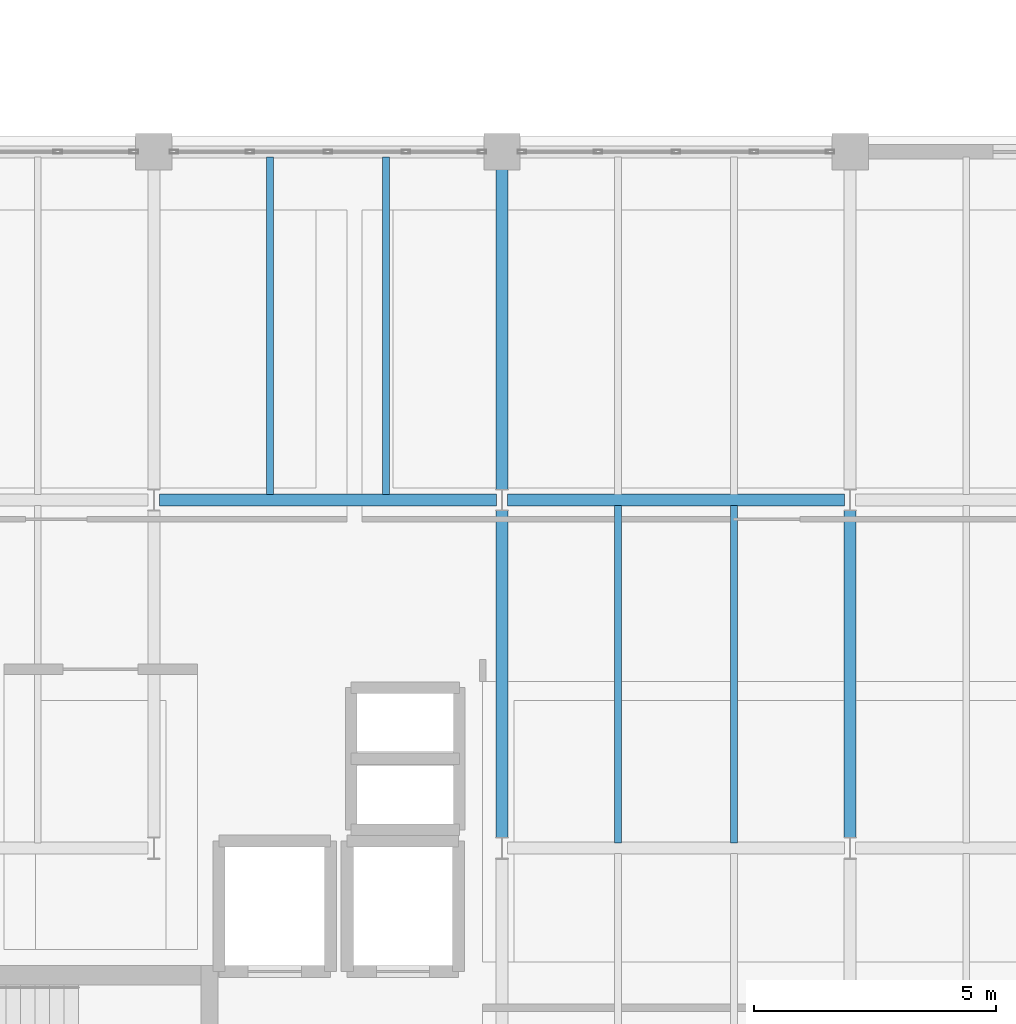
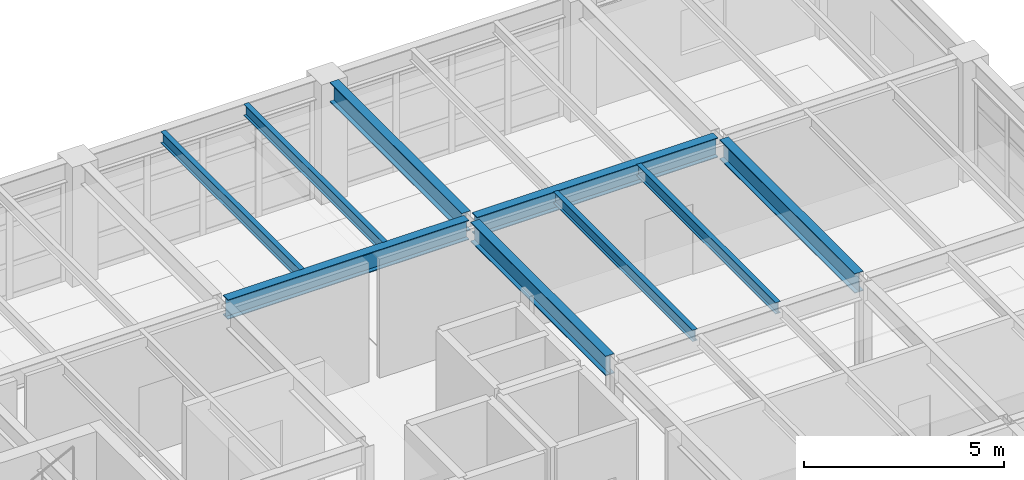
# One storey, part 10 of 32: 9 beams.
"""IFC4 building model written with IfcOpenShell, lengths in metres."""

from ifc_helpers import new_model, si_unit, direction, frame, origin, origin_2d, place, context, subcontext, project, spatial, i_section, extrude, material, material_profile, profile_set, type_object, element, save


model = new_model("IFC4")

# Units and contexts
model_context = context("Model", 3, precision=1e-05, world=origin(), true_north=direction((0.0, 1.0)))
body_context = subcontext(model_context, "Body", "Model", "MODEL_VIEW")
ifc_project = project(units=[si_unit("LENGTHUNIT", "METRE"), si_unit("AREAUNIT", "SQUARE_METRE"), si_unit("VOLUMEUNIT", "CUBIC_METRE"), si_unit("PLANEANGLEUNIT", "RADIAN"), si_unit("MASSUNIT", "GRAM", prefix="KILO")], contexts=[model_context])

# Site, building, storey
site_placement = place(None, origin())
site = spatial("IfcSite", under=ifc_project, at=site_placement, CompositionType="ELEMENT")
building_placement = place(site_placement, origin())
building = spatial("IfcBuilding", under=site, at=building_placement, Name="Kandorven Conservatory and Botanical Research Centre", CompositionType="ELEMENT")
storey_placement = place(building_placement, frame((0.0, 0.0, 17.10009765625)))
storey = spatial("IfcBuildingStorey", under=building, at=storey_placement, Name="L04", CompositionType="ELEMENT", Elevation=17.10009765625)

# Beams
ifc_material_1 = material(Name="Steel S355 (IS 2062 E350)", Category="steel")
ifc_material_profile_1 = material_profile(ifc_material_1, i_section(OverallWidth=0.25, OverallDepth=0.60009765625, WebThickness=0.01171875, FlangeThickness=0.023681640625, at=origin_2d()))
ifc_profile_set_1 = profile_set([ifc_material_profile_1], Name="Steel S355 (IS 2062 E350)")
beam_type_1 = type_object("IfcBeamType", Name="Beam_FG-01", PredefinedType="USERDEFINED", material=ifc_profile_set_1)
beam_1_placement = place(storey_placement, frame((20.514892578125, 27.60009765625, 3.35986328125), z_axis=(1.0, 0.0, 0.0), x_axis=(0.0, 1.0, 0.0)))
element("IfcBeam", 1, at=beam_1_placement, inside=storey, type_object=beam_type_1, Name="Primary girder FG-01 TWR L04", ObjectType="GIRDER", PredefinedType="USERDEFINED", context=body_context, shape_type="SweptSolid", body=[
    extrude(i_section(OverallWidth=0.25, OverallDepth=0.60009765625, WebThickness=0.01171875, FlangeThickness=0.023681640625, at=origin_2d()), origin(), (0.0, 0.0, 1.0), 6.97021484375),
])
beam_2_placement = place(storey_placement, frame((27.715087890625, 27.60009765625, 3.35986328125), z_axis=(1.0, 0.0, 0.0), x_axis=(0.0, 1.0, 0.0)))
element("IfcBeam", 2, at=beam_2_placement, inside=storey, type_object=beam_type_1, Name="Primary girder FG-01 TWR L04", ObjectType="GIRDER", PredefinedType="USERDEFINED", context=body_context, shape_type="SweptSolid", body=[
    extrude(i_section(OverallWidth=0.25, OverallDepth=0.60009765625, WebThickness=0.01171875, FlangeThickness=0.023681640625, at=origin_2d()), origin(), (0.0, 0.0, 1.0), 6.969970703125),
])
beam_3_placement = place(storey_placement, frame((27.60009765625, 20.614990234375, 3.35986328125), z_axis=(0.0, 1.0, 0.0), x_axis=(-1.0, 0.0, 0.0)))
element("IfcBeam", 3, at=beam_3_placement, inside=storey, type_object=beam_type_1, Name="Primary girder FG-01 TWR L04", ObjectType="GIRDER", PredefinedType="USERDEFINED", context=body_context, shape_type="SweptSolid", body=[
    extrude(i_section(OverallWidth=0.25, OverallDepth=0.60009765625, WebThickness=0.01171875, FlangeThickness=0.023681640625, at=origin_2d()), origin(), (0.0, 0.0, 1.0), 6.77001953125),
])
beam_4_placement = place(storey_placement, frame((27.60009765625, 27.81494140625, 3.35986328125), z_axis=(0.0, 1.0, 0.0), x_axis=(-1.0, 0.0, 0.0)))
element("IfcBeam", 4, at=beam_4_placement, inside=storey, type_object=beam_type_1, Name="Primary girder FG-01 TWR L04", ObjectType="GIRDER", PredefinedType="USERDEFINED", context=body_context, shape_type="SweptSolid", body=[
    extrude(i_section(OverallWidth=0.25, OverallDepth=0.60009765625, WebThickness=0.01171875, FlangeThickness=0.023681640625, at=origin_2d()), origin(), (0.0, 0.0, 1.0), 6.6201171875),
])
beam_5_placement = place(storey_placement, frame((34.800048828125, 20.614990234375, 3.35986328125), z_axis=(0.0, 1.0, 0.0), x_axis=(-1.0, 0.0, 0.0)))
element("IfcBeam", 5, at=beam_5_placement, inside=storey, type_object=beam_type_1, Name="Primary girder FG-01 TWR L04", ObjectType="GIRDER", PredefinedType="USERDEFINED", context=body_context, shape_type="SweptSolid", body=[
    extrude(i_section(OverallWidth=0.25, OverallDepth=0.60009765625, WebThickness=0.01171875, FlangeThickness=0.023681640625, at=origin_2d()), origin(), (0.0, 0.0, 1.0), 6.77001953125),
])
ifc_material_2 = material(Name="Steel S355 (IS 2062 E350)", Category="steel")
ifc_material_profile_2 = material_profile(ifc_material_2, i_section(OverallWidth=0.139892578125, OverallDepth=0.35009765625, WebThickness=0.008056640625, FlangeThickness=0.01416015625, at=origin_2d()))
ifc_profile_set_2 = profile_set([ifc_material_profile_2], Name="Steel S355 (IS 2062 E350)")
beam_type_2 = type_object("IfcBeamType", Name="Beam_SB-06", PredefinedType="BEAM", material=ifc_profile_set_2)
for number, where, z_axis, x_axis, name in (
    (6, (22.800048828125, 27.7099609375, 3.48486328125), (0.0, 1.0, 0.0), (-1.0, 0.0, 0.0), "Composite secondary beam SB-06 TWR L04"),
    (7, (25.199951171875, 27.7099609375, 3.48486328125), (0.0, 1.0, 0.0), (-1.0, 0.0, 0.0), "Composite secondary beam SB-06 TWR L04"),
    (8, (30.0, 20.510009765625, 3.48486328125), (0.0, 1.0, 0.0), (-1.0, 0.0, 0.0), "Composite secondary beam SB-06 TWR L04"),
    (9, (32.39990234375, 20.510009765625, 3.48486328125), (0.0, 1.0, 0.0), (-1.0, 0.0, 0.0), "Composite secondary beam SB-06 TWR L04"),
):
    element("IfcBeam", number, at=place(storey_placement, frame(where, z_axis=z_axis, x_axis=x_axis)), inside=storey, type_object=beam_type_2, Name=name, PredefinedType="BEAM", context=body_context, shape_type="SweptSolid", body=[
        extrude(i_section(OverallWidth=0.139892578125, OverallDepth=0.35009765625, WebThickness=0.008056640625, FlangeThickness=0.01416015625, at=origin_2d()), origin(), (0.0, 0.0, 1.0), 6.97998046875),
    ])

save(model, "model.ifc")
